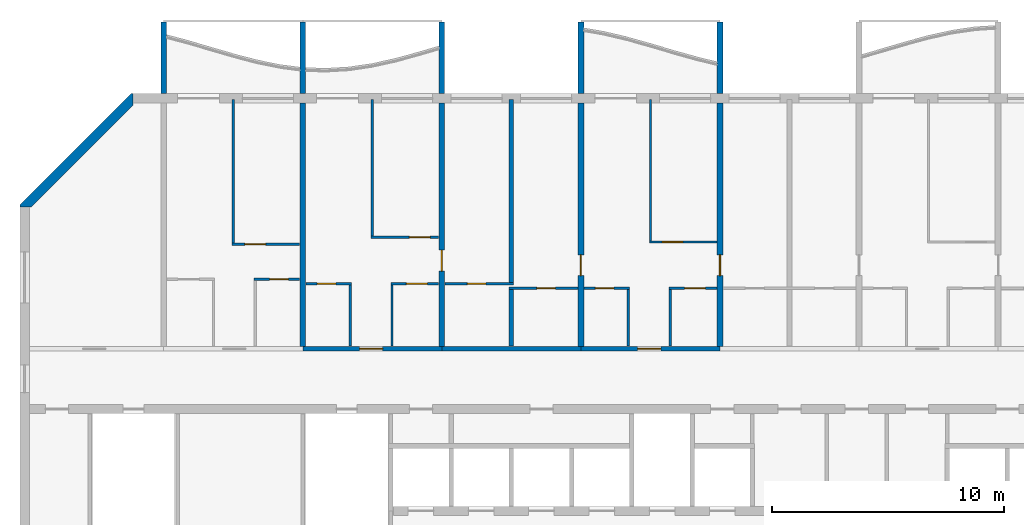
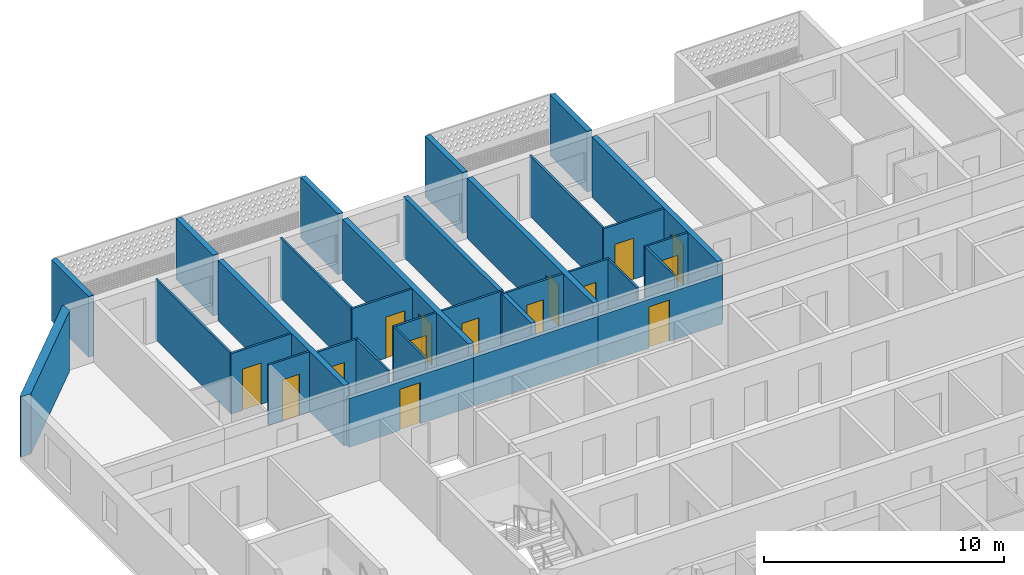
# One storey, part 8 of 27: 32 walls, 15 doors, 15 openings.
"""IFC4 building model written with IfcOpenShell, lengths in metres."""

from ifc_helpers import new_model, si_unit, direction, frame, frame_2d, origin, place, context, subcontext, project, spatial, polyline, rectangle, outline, extrude, source, transform, mapped, material, layer, layer_set, type_object, element, fill, save


model = new_model("IFC4")

# Units and contexts
model_context = context("Model", 3, precision=1e-05, world=origin(), true_north=direction((0.0, 1.0)))
body_context = subcontext(model_context, "Body", "Model", "MODEL_VIEW")
ifc_project = project(units=[si_unit("LENGTHUNIT", "METRE"), si_unit("AREAUNIT", "SQUARE_METRE"), si_unit("VOLUMEUNIT", "CUBIC_METRE"), si_unit("PLANEANGLEUNIT", "RADIAN"), si_unit("MASSUNIT", "GRAM", prefix="KILO")], contexts=[model_context])

# Site, building, storey
site_placement = place(None, origin())
site = spatial("IfcSite", under=ifc_project, at=site_placement, CompositionType="ELEMENT")
building_placement = place(site_placement, origin())
building = spatial("IfcBuilding", under=site, at=building_placement, Name="Poui Terraces", CompositionType="ELEMENT")
storey_placement = place(building_placement, frame((0.0, 0.0, 191.699951171875)))
storey = spatial("IfcBuildingStorey", under=building, at=storey_placement, Name="L53", CompositionType="ELEMENT", Elevation=191.699951171875)

# Wall, opening, door
ifc_material_1 = material(Name="Concrete 50 MPa", Category="concrete")
ifc_layer_1 = layer(ifc_material_1, 0.199951171875)
ifc_layer_set_1 = layer_set([ifc_layer_1], Name="Concrete 50 MPa")
wall_type_1 = type_object("IfcWallType", Name="CORRIDOR WALL 200 50MPa", PredefinedType="SHEAR", material=ifc_layer_set_1)
wall_1_placement = place(storey_placement, frame((30.0, 30.39990234375, 0.0), z_axis=(0.0, 0.0, 1.0), x_axis=(1.0, 0.0, 0.0)))
wall_1 = element("IfcWall", 1, at=wall_1_placement, inside=storey, type_object=wall_type_1, Name="CORRIDOR WALL LINE E BAY 3", PredefinedType="SHEAR", context=body_context, shape_type="SweptSolid", body=[
    extrude(rectangle(XDim=6.0, YDim=0.199951171875, at=frame_2d((3.0, 0.0))), origin(), (0.0, 0.0, 1.0), 2.47998046875),
])
opening_1_placement = place(wall_1_placement, frame((2.449951171875, 0.0, 0.0)))
opening_1 = element("IfcOpeningElement", 2, at=opening_1_placement, cuts=wall_1, Name="Opening FD30S", PredefinedType="OPENING", context=body_context, shape_type="SweptSolid", body=[
    extrude(rectangle(XDim=1.0, YDim=2.10009765625, at=frame_2d((0.5, 1.050048828125))), frame((0.0, 0.10986328125, 0.0), z_axis=(0.0, -1.0, 0.0), x_axis=(1.0, 0.0, 0.0)), (0.0, 0.0, 1.0), 0.219970703125),
])
ifc_material_2 = material(Name="Steel fire door", Category="steel")
door_type_1 = type_object("IfcDoorType", Name="FLAT ENTRANCE DOOR 1000 X 2100", OperationType="NOTDEFINED", PredefinedType="DOOR", material=ifc_material_2)
door_1_placement = place(opening_1_placement, origin())
door_1 = element("IfcDoor", 3, at=door_1_placement, inside=storey, type_object=door_type_1, Name="FLAT ENTRANCE DOOR 034", OperationType="SINGLE_SWING_LEFT", OverallHeight=2.10009765625, OverallWidth=1.0, PredefinedType="DOOR", context=body_context, shape_type="SweptSolid", body=[
    extrude(rectangle(XDim=1.0, YDim=2.10009765625, at=frame_2d((0.5, 1.050048828125))), frame((0.0, 0.02490234375, 0.0), z_axis=(0.0, -1.0, 0.0), x_axis=(1.0, 0.0, 0.0)), (0.0, 0.0, 1.0), 0.050048828125),
])
fill(opening_1, door_1)

# Wall
wall_2_placement = place(storey_placement, frame((36.0, 30.39990234375, 0.0), z_axis=(0.0, 0.0, 1.0), x_axis=(1.0, 0.0, 0.0)))
element("IfcWall", 4, at=wall_2_placement, inside=storey, type_object=wall_type_1, Name="CORRIDOR WALL LINE E BAY 4", PredefinedType="SHEAR", context=body_context, shape_type="SweptSolid", body=[
    extrude(rectangle(XDim=6.0, YDim=0.199951171875, at=frame_2d((3.0, 0.0))), origin(), (0.0, 0.0, 1.0), 2.47998046875),
])

# Wall, opening, door
wall_3_placement = place(storey_placement, frame((42.0, 30.39990234375, 0.0), z_axis=(0.0, 0.0, 1.0), x_axis=(1.0, 0.0, 0.0)))
wall_3 = element("IfcWall", 5, at=wall_3_placement, inside=storey, type_object=wall_type_1, Name="CORRIDOR WALL LINE E BAY 5", PredefinedType="SHEAR", context=body_context, shape_type="SweptSolid", body=[
    extrude(rectangle(XDim=6.0, YDim=0.199951171875, at=frame_2d((3.0, 0.0))), origin(), (0.0, 0.0, 1.0), 2.47998046875),
])
opening_2_placement = place(wall_3_placement, frame((2.449951171875, 0.0, 0.0)))
opening_2 = element("IfcOpeningElement", 6, at=opening_2_placement, cuts=wall_3, Name="Opening FD30S", PredefinedType="OPENING", context=body_context, shape_type="SweptSolid", body=[
    extrude(rectangle(XDim=1.0, YDim=2.10009765625, at=frame_2d((0.5, 1.050048828125))), frame((0.0, 0.10986328125, 0.0), z_axis=(0.0, -1.0, 0.0), x_axis=(1.0, 0.0, 0.0)), (0.0, 0.0, 1.0), 0.219970703125),
])
door_2_placement = place(opening_2_placement, origin())
door_2 = element("IfcDoor", 7, at=door_2_placement, inside=storey, type_object=door_type_1, Name="FLAT ENTRANCE DOOR 042", OperationType="SINGLE_SWING_LEFT", OverallHeight=2.10009765625, OverallWidth=1.0, PredefinedType="DOOR", context=body_context, shape_type="SweptSolid", body=[
    extrude(rectangle(XDim=1.0, YDim=2.10009765625, at=frame_2d((0.5, 1.050048828125))), frame((0.0, 0.02490234375, 0.0), z_axis=(0.0, -1.0, 0.0), x_axis=(1.0, 0.0, 0.0)), (0.0, 0.0, 1.0), 0.050048828125),
])
fill(opening_2, door_2)

# Wall
ifc_layer_2 = layer(ifc_material_1, 0.25)
ifc_layer_set_2 = layer_set([ifc_layer_2], Name="Concrete 50 MPa")
wall_type_2 = type_object("IfcWallType", Name="CROSS WALL 250 50MPa", PredefinedType="SHEAR", material=ifc_layer_set_2)
wall_4_placement = place(storey_placement, frame((30.0, 30.5, 0.0), z_axis=(0.0, 0.0, 1.0), x_axis=(0.0, 1.0, 0.0)))
element("IfcWall", 8, at=wall_4_placement, inside=storey, type_object=wall_type_2, Name="CROSS WALL LINE 6 NORTH", PredefinedType="SHEAR", context=body_context, shape_type="SweptSolid", body=[
    extrude(rectangle(XDim=10.5, YDim=0.25, at=frame_2d((5.25, 0.0))), origin(), (0.0, 0.0, 1.0), 3.080078125),
])

# Wall, opening, door
wall_5_placement = place(storey_placement, frame((36.0, 30.5, 0.0), z_axis=(0.0, 0.0, 1.0), x_axis=(0.0, 1.0, 0.0)))
wall_5 = element("IfcWall", 9, at=wall_5_placement, inside=storey, type_object=wall_type_2, Name="CROSS WALL LINE 7 NORTH", PredefinedType="SHEAR", context=body_context, shape_type="SweptSolid", body=[
    extrude(rectangle(XDim=10.5, YDim=0.25, at=frame_2d((5.25, 0.0))), origin(), (0.0, 0.0, 1.0), 3.080078125),
])
opening_3_placement = place(wall_5_placement, frame((3.25, 0.0, 0.0)))
opening_3 = element("IfcOpeningElement", 10, at=opening_3_placement, cuts=wall_5, Name="Opening D90", PredefinedType="OPENING", context=body_context, shape_type="SweptSolid", body=[
    extrude(rectangle(XDim=0.89990234375, YDim=2.10009765625, at=frame_2d((0.449951171875, 1.050048828125))), frame((0.0, 0.135009765625, 0.0), z_axis=(0.0, -1.0, 0.0), x_axis=(1.0, 0.0, 0.0)), (0.0, 0.0, 1.0), 0.27001953125),
])
ifc_material_3 = material(Name="Solid core timber door", Category="wood")
door_type_2 = type_object("IfcDoorType", Name="INTERNAL DOOR 900 X 2100", OperationType="NOTDEFINED", PredefinedType="DOOR", material=ifc_material_3)
door_3_placement = place(opening_3_placement, frame((0.89990234375, 0.0, 0.0), z_axis=(0.0, 0.0, 1.0), x_axis=(-1.0, 0.0, 0.0)))
door_3 = element("IfcDoor", 11, at=door_3_placement, inside=storey, type_object=door_type_2, Name="INTERNAL DOOR 037", OperationType="SINGLE_SWING_RIGHT", OverallHeight=2.10009765625, OverallWidth=0.89990234375, PredefinedType="DOOR", context=body_context, shape_type="SweptSolid", body=[
    extrude(rectangle(XDim=0.89990234375, YDim=2.10009765625, at=frame_2d((0.449951171875, 1.050048828125))), frame((0.0, 0.02490234375, 0.0), z_axis=(0.0, -1.0, 0.0), x_axis=(1.0, 0.0, 0.0)), (0.0, 0.0, 1.0), 0.050048828125),
])
fill(opening_3, door_3)

wall_6_placement = place(storey_placement, frame((42.0, 30.5, 0.0), z_axis=(0.0, 0.0, 1.0), x_axis=(0.0, 1.0, 0.0)))
wall_6 = element("IfcWall", 12, at=wall_6_placement, inside=storey, type_object=wall_type_2, Name="CROSS WALL LINE 8 NORTH", PredefinedType="SHEAR", context=body_context, shape_type="SweptSolid", body=[
    extrude(rectangle(XDim=10.5, YDim=0.25, at=frame_2d((5.25, 0.0))), origin(), (0.0, 0.0, 1.0), 3.080078125),
])
opening_4_placement = place(wall_6_placement, frame((3.050048828125, 0.0, 0.0)))
opening_4 = element("IfcOpeningElement", 13, at=opening_4_placement, cuts=wall_6, Name="Opening D90", PredefinedType="OPENING", context=body_context, shape_type="SweptSolid", body=[
    extrude(rectangle(XDim=0.89990234375, YDim=2.10009765625, at=frame_2d((0.449951171875, 1.050048828125))), frame((0.0, 0.135009765625, 0.0), z_axis=(0.0, -1.0, 0.0), x_axis=(1.0, 0.0, 0.0)), (0.0, 0.0, 1.0), 0.27001953125),
])
door_4_placement = place(opening_4_placement, origin())
door_4 = element("IfcDoor", 14, at=door_4_placement, inside=storey, type_object=door_type_2, Name="INTERNAL DOOR 040", OperationType="SINGLE_SWING_LEFT", OverallHeight=2.10009765625, OverallWidth=0.89990234375, PredefinedType="DOOR", context=body_context, shape_type="SweptSolid", body=[
    extrude(rectangle(XDim=0.89990234375, YDim=2.10009765625, at=frame_2d((0.449951171875, 1.050048828125))), frame((0.0, 0.02490234375, 0.0), z_axis=(0.0, -1.0, 0.0), x_axis=(1.0, 0.0, 0.0)), (0.0, 0.0, 1.0), 0.050048828125),
])
fill(opening_4, door_4)

wall_7_placement = place(storey_placement, frame((48.0, 30.5, 0.0), z_axis=(0.0, 0.0, 1.0), x_axis=(0.0, 1.0, 0.0)))
wall_7 = element("IfcWall", 15, at=wall_7_placement, inside=storey, type_object=wall_type_2, Name="CROSS WALL LINE 9 NORTH", PredefinedType="SHEAR", context=body_context, shape_type="SweptSolid", body=[
    extrude(rectangle(XDim=10.5, YDim=0.25, at=frame_2d((5.25, 0.0))), origin(), (0.0, 0.0, 1.0), 3.080078125),
])
opening_5_placement = place(wall_7_placement, frame((3.050048828125, 0.0, 0.0)))
opening_5 = element("IfcOpeningElement", 16, at=opening_5_placement, cuts=wall_7, Name="Opening D90", PredefinedType="OPENING", context=body_context, shape_type="SweptSolid", body=[
    extrude(rectangle(XDim=0.89990234375, YDim=2.10009765625, at=frame_2d((0.449951171875, 1.050048828125))), frame((0.0, 0.135009765625, 0.0), z_axis=(0.0, -1.0, 0.0), x_axis=(1.0, 0.0, 0.0)), (0.0, 0.0, 1.0), 0.27001953125),
])
door_5_placement = place(opening_5_placement, frame((0.89990234375, 0.0, 0.0), z_axis=(0.0, 0.0, 1.0), x_axis=(-1.0, 0.0, 0.0)))
door_5 = element("IfcDoor", 17, at=door_5_placement, inside=storey, type_object=door_type_2, Name="INTERNAL DOOR 045", OperationType="SINGLE_SWING_RIGHT", OverallHeight=2.10009765625, OverallWidth=0.89990234375, PredefinedType="DOOR", context=body_context, shape_type="SweptSolid", body=[
    extrude(rectangle(XDim=0.89990234375, YDim=2.10009765625, at=frame_2d((0.449951171875, 1.050048828125))), frame((0.0, 0.02490234375, 0.0), z_axis=(0.0, -1.0, 0.0), x_axis=(1.0, 0.0, 0.0)), (0.0, 0.0, 1.0), 0.050048828125),
])
fill(opening_5, door_5)

ifc_material_4 = material(Name="Plasterboard partition")
ifc_layer_3 = layer(ifc_material_4, 0.10009765625)
ifc_layer_set_3 = layer_set([ifc_layer_3], Name="Plasterboard partition")
wall_type_3 = type_object("IfcWallType", Name="FLAT PARTITION 100", PredefinedType="PARTITIONING", material=ifc_layer_set_3)
wall_8_placement = place(storey_placement, frame((38.89990234375, 33.0, 0.0), z_axis=(0.0, 0.0, 1.0), x_axis=(1.0, 0.0, 0.0)))
wall_8 = element("IfcWall", 18, at=wall_8_placement, inside=storey, type_object=wall_type_3, Name="FLAT PARTITION 100", PredefinedType="PARTITIONING", context=body_context, shape_type="SweptSolid", body=[
    extrude(rectangle(XDim=2.965087890625, YDim=0.10009765625, at=frame_2d((1.482421875, 0.0))), origin(), (0.0, 0.0, 1.0), 3.080078125),
])
opening_6_placement = place(wall_8_placement, frame((1.199951171875, 0.0, 0.0)))
opening_6 = element("IfcOpeningElement", 19, at=opening_6_placement, cuts=wall_8, Name="Opening D80", PredefinedType="OPENING", context=body_context, shape_type="SweptSolid", body=[
    extrude(rectangle(XDim=0.800048828125, YDim=2.10009765625, at=frame_2d((0.39990234375, 1.050048828125))), frame((0.0, 0.06005859375, 0.0), z_axis=(0.0, -1.0, 0.0), x_axis=(1.0, 0.0, 0.0)), (0.0, 0.0, 1.0), 0.1201171875),
])
door_type_3 = type_object("IfcDoorType", Name="BATHROOM, LAUNDRY AND STORE DOOR 800 X 2100", OperationType="NOTDEFINED", PredefinedType="DOOR", material=ifc_material_3)
door_6_placement = place(opening_6_placement, frame((0.800048828125, 0.0, 0.0), z_axis=(0.0, 0.0, 1.0), x_axis=(-1.0, 0.0, 0.0)))
door_6 = element("IfcDoor", 20, at=door_6_placement, inside=storey, type_object=door_type_3, Name="BATHROOM, LAUNDRY AND STORE DOOR 038", OperationType="SINGLE_SWING_LEFT", OverallHeight=2.10009765625, OverallWidth=0.800048828125, PredefinedType="DOOR", context=body_context, shape_type="SweptSolid", body=[
    extrude(rectangle(XDim=0.800048828125, YDim=2.10009765625, at=frame_2d((0.39990234375, 1.050048828125))), frame((0.0, 0.02490234375, 0.0), z_axis=(0.0, -1.0, 0.0), x_axis=(1.0, 0.0, 0.0)), (0.0, 0.0, 1.0), 0.050048828125),
])
fill(opening_6, door_6)

wall_9_placement = place(storey_placement, frame((42.135009765625, 33.0, 0.0), z_axis=(0.0, 0.0, 1.0), x_axis=(1.0, 0.0, 0.0)))
wall_9 = element("IfcWall", 21, at=wall_9_placement, inside=storey, type_object=wall_type_3, Name="FLAT PARTITION 100", PredefinedType="PARTITIONING", context=body_context, shape_type="SweptSolid", body=[
    extrude(rectangle(XDim=1.965087890625, YDim=0.10009765625, at=frame_2d((0.982421875, 0.0))), origin(), (0.0, 0.0, 1.0), 3.080078125),
])
opening_7_placement = place(wall_9_placement, frame((0.489990234375, 0.0, 0.0)))
opening_7 = element("IfcOpeningElement", 22, at=opening_7_placement, cuts=wall_9, Name="Opening D80", PredefinedType="OPENING", context=body_context, shape_type="SweptSolid", body=[
    extrude(rectangle(XDim=0.800048828125, YDim=2.10009765625, at=frame_2d((0.39990234375, 1.050048828125))), frame((0.0, 0.06005859375, 0.0), z_axis=(0.0, -1.0, 0.0), x_axis=(1.0, 0.0, 0.0)), (0.0, 0.0, 1.0), 0.1201171875),
])
door_7_placement = place(opening_7_placement, frame((0.800048828125, 0.0, 0.0), z_axis=(0.0, 0.0, 1.0), x_axis=(-1.0, 0.0, 0.0)))
door_7 = element("IfcDoor", 23, at=door_7_placement, inside=storey, type_object=door_type_3, Name="BATHROOM, LAUNDRY AND STORE DOOR 041", OperationType="SINGLE_SWING_LEFT", OverallHeight=2.10009765625, OverallWidth=0.800048828125, PredefinedType="DOOR", context=body_context, shape_type="SweptSolid", body=[
    extrude(rectangle(XDim=0.800048828125, YDim=2.10009765625, at=frame_2d((0.39990234375, 1.050048828125))), frame((0.0, 0.02490234375, 0.0), z_axis=(0.0, -1.0, 0.0), x_axis=(1.0, 0.0, 0.0)), (0.0, 0.0, 1.0), 0.050048828125),
])
fill(opening_7, door_7)

wall_10_placement = place(storey_placement, frame((45.800048828125, 33.0, 0.0), z_axis=(0.0, 0.0, 1.0), x_axis=(1.0, 0.0, 0.0)))
wall_10 = element("IfcWall", 24, at=wall_10_placement, inside=storey, type_object=wall_type_3, Name="FLAT PARTITION 100", PredefinedType="PARTITIONING", context=body_context, shape_type="SweptSolid", body=[
    extrude(rectangle(XDim=2.06494140625, YDim=0.10009765625, at=frame_2d((1.032470703125, 0.0))), origin(), (0.0, 0.0, 1.0), 3.080078125),
])
opening_8_placement = place(wall_10_placement, frame((0.675048828125, 0.0, 0.0)))
opening_8 = element("IfcOpeningElement", 25, at=opening_8_placement, cuts=wall_10, Name="Opening D90", PredefinedType="OPENING", context=body_context, shape_type="SweptSolid", body=[
    extrude(rectangle(XDim=0.89990234375, YDim=2.10009765625, at=frame_2d((0.449951171875, 1.050048828125))), frame((0.0, 0.06005859375, 0.0), z_axis=(0.0, -1.0, 0.0), x_axis=(1.0, 0.0, 0.0)), (0.0, 0.0, 1.0), 0.1201171875),
])
door_8_placement = place(opening_8_placement, frame((0.89990234375, 0.0, 0.0), z_axis=(0.0, 0.0, 1.0), x_axis=(-1.0, 0.0, 0.0)))
door_8 = element("IfcDoor", 26, at=door_8_placement, inside=storey, type_object=door_type_2, Name="INTERNAL DOOR 044", OperationType="SINGLE_SWING_RIGHT", OverallHeight=2.10009765625, OverallWidth=0.89990234375, PredefinedType="DOOR", context=body_context, shape_type="SweptSolid", body=[
    extrude(rectangle(XDim=0.89990234375, YDim=2.10009765625, at=frame_2d((0.449951171875, 1.050048828125))), frame((0.0, 0.02490234375, 0.0), z_axis=(0.0, -1.0, 0.0), x_axis=(1.0, 0.0, 0.0)), (0.0, 0.0, 1.0), 0.050048828125),
])
fill(opening_8, door_8)

wall_11_placement = place(storey_placement, frame((30.135009765625, 33.199951171875, 0.0), z_axis=(0.0, 0.0, 1.0), x_axis=(1.0, 0.0, 0.0)))
wall_11 = element("IfcWall", 27, at=wall_11_placement, inside=storey, type_object=wall_type_3, Name="FLAT PARTITION 100", PredefinedType="PARTITIONING", context=body_context, shape_type="SweptSolid", body=[
    extrude(rectangle(XDim=1.965087890625, YDim=0.10009765625, at=frame_2d((0.982421875, 0.0))), origin(), (0.0, 0.0, 1.0), 3.080078125),
])
opening_9_placement = place(wall_11_placement, frame((0.489990234375, 0.0, 0.0)))
opening_9 = element("IfcOpeningElement", 28, at=opening_9_placement, cuts=wall_11, Name="Opening D80", PredefinedType="OPENING", context=body_context, shape_type="SweptSolid", body=[
    extrude(rectangle(XDim=0.800048828125, YDim=2.10009765625, at=frame_2d((0.39990234375, 1.050048828125))), frame((0.0, 0.06005859375, 0.0), z_axis=(0.0, -1.0, 0.0), x_axis=(1.0, 0.0, 0.0)), (0.0, 0.0, 1.0), 0.1201171875),
])
door_9_placement = place(opening_9_placement, frame((0.800048828125, 0.0, 0.0), z_axis=(0.0, 0.0, 1.0), x_axis=(-1.0, 0.0, 0.0)))
door_9 = element("IfcDoor", 29, at=door_9_placement, inside=storey, type_object=door_type_3, Name="BATHROOM, LAUNDRY AND STORE DOOR 033", OperationType="SINGLE_SWING_RIGHT", OverallHeight=2.10009765625, OverallWidth=0.800048828125, PredefinedType="DOOR", context=body_context, shape_type="SweptSolid", body=[
    extrude(rectangle(XDim=0.800048828125, YDim=2.10009765625, at=frame_2d((0.39990234375, 1.050048828125))), frame((0.0, 0.02490234375, 0.0), z_axis=(0.0, -1.0, 0.0), x_axis=(1.0, 0.0, 0.0)), (0.0, 0.0, 1.0), 0.050048828125),
])
fill(opening_9, door_9)

wall_12_placement = place(storey_placement, frame((33.800048828125, 33.199951171875, 0.0), z_axis=(0.0, 0.0, 1.0), x_axis=(1.0, 0.0, 0.0)))
wall_12 = element("IfcWall", 30, at=wall_12_placement, inside=storey, type_object=wall_type_3, Name="FLAT PARTITION 100", PredefinedType="PARTITIONING", context=body_context, shape_type="SweptSolid", body=[
    extrude(rectangle(XDim=2.06494140625, YDim=0.10009765625, at=frame_2d((1.032470703125, 0.0))), origin(), (0.0, 0.0, 1.0), 3.080078125),
])
opening_10_placement = place(wall_12_placement, frame((0.675048828125, 0.0, 0.0)))
opening_10 = element("IfcOpeningElement", 31, at=opening_10_placement, cuts=wall_12, Name="Opening D90", PredefinedType="OPENING", context=body_context, shape_type="SweptSolid", body=[
    extrude(rectangle(XDim=0.89990234375, YDim=2.10009765625, at=frame_2d((0.449951171875, 1.050048828125))), frame((0.0, 0.06005859375, 0.0), z_axis=(0.0, -1.0, 0.0), x_axis=(1.0, 0.0, 0.0)), (0.0, 0.0, 1.0), 0.1201171875),
])
door_10_placement = place(opening_10_placement, frame((0.89990234375, 0.0, 0.0), z_axis=(0.0, 0.0, 1.0), x_axis=(-1.0, 0.0, 0.0)))
door_10 = element("IfcDoor", 32, at=door_10_placement, inside=storey, type_object=door_type_2, Name="INTERNAL DOOR 035", OperationType="SINGLE_SWING_LEFT", OverallHeight=2.10009765625, OverallWidth=0.89990234375, PredefinedType="DOOR", context=body_context, shape_type="SweptSolid", body=[
    extrude(rectangle(XDim=0.89990234375, YDim=2.10009765625, at=frame_2d((0.449951171875, 1.050048828125))), frame((0.0, 0.02490234375, 0.0), z_axis=(0.0, -1.0, 0.0), x_axis=(1.0, 0.0, 0.0)), (0.0, 0.0, 1.0), 0.050048828125),
])
fill(opening_10, door_10)

wall_13_placement = place(storey_placement, frame((36.135009765625, 33.199951171875, 0.0), z_axis=(0.0, 0.0, 1.0), x_axis=(1.0, 0.0, 0.0)))
wall_13 = element("IfcWall", 33, at=wall_13_placement, inside=storey, type_object=wall_type_3, Name="FLAT PARTITION 100", PredefinedType="PARTITIONING", context=body_context, shape_type="SweptSolid", body=[
    extrude(rectangle(XDim=2.965087890625, YDim=0.10009765625, at=frame_2d((1.482421875, 0.0))), origin(), (0.0, 0.0, 1.0), 3.080078125),
])
opening_11_placement = place(wall_13_placement, frame((0.965087890625, 0.0, 0.0)))
opening_11 = element("IfcOpeningElement", 34, at=opening_11_placement, cuts=wall_13, Name="Opening D80", PredefinedType="OPENING", context=body_context, shape_type="SweptSolid", body=[
    extrude(rectangle(XDim=0.800048828125, YDim=2.10009765625, at=frame_2d((0.39990234375, 1.050048828125))), frame((0.0, 0.06005859375, 0.0), z_axis=(0.0, -1.0, 0.0), x_axis=(1.0, 0.0, 0.0)), (0.0, 0.0, 1.0), 0.1201171875),
])
door_11_placement = place(opening_11_placement, frame((0.800048828125, 0.0, 0.0), z_axis=(0.0, 0.0, 1.0), x_axis=(-1.0, 0.0, 0.0)))
door_11 = element("IfcDoor", 35, at=door_11_placement, inside=storey, type_object=door_type_3, Name="BATHROOM, LAUNDRY AND STORE DOOR 032", OperationType="SINGLE_SWING_RIGHT", OverallHeight=2.10009765625, OverallWidth=0.800048828125, PredefinedType="DOOR", context=body_context, shape_type="SweptSolid", body=[
    extrude(rectangle(XDim=0.800048828125, YDim=2.10009765625, at=frame_2d((0.39990234375, 1.050048828125))), frame((0.0, 0.02490234375, 0.0), z_axis=(0.0, -1.0, 0.0), x_axis=(1.0, 0.0, 0.0)), (0.0, 0.0, 1.0), 0.050048828125),
])
fill(opening_11, door_11)

wall_14_placement = place(storey_placement, frame((27.89990234375, 33.39990234375, 0.0), z_axis=(0.0, 0.0, 1.0), x_axis=(1.0, 0.0, 0.0)))
wall_14 = element("IfcWall", 36, at=wall_14_placement, inside=storey, type_object=wall_type_3, Name="FLAT PARTITION 100", PredefinedType="PARTITIONING", context=body_context, shape_type="SweptSolid", body=[
    extrude(rectangle(XDim=1.965087890625, YDim=0.10009765625, at=frame_2d((0.982421875, 0.0))), origin(), (0.0, 0.0, 1.0), 3.080078125),
])
opening_12_placement = place(wall_14_placement, frame((0.675048828125, 0.0, 0.0)))
opening_12 = element("IfcOpeningElement", 37, at=opening_12_placement, cuts=wall_14, Name="Opening D80", PredefinedType="OPENING", context=body_context, shape_type="SweptSolid", body=[
    extrude(rectangle(XDim=0.800048828125, YDim=2.10009765625, at=frame_2d((0.39990234375, 1.050048828125))), frame((0.0, 0.06005859375, 0.0), z_axis=(0.0, -1.0, 0.0), x_axis=(1.0, 0.0, 0.0)), (0.0, 0.0, 1.0), 0.1201171875),
])
door_12_placement = place(opening_12_placement, frame((0.800048828125, 0.0, 0.0), z_axis=(0.0, 0.0, 1.0), x_axis=(-1.0, 0.0, 0.0)))
door_12 = element("IfcDoor", 38, at=door_12_placement, inside=storey, type_object=door_type_3, Name="BATHROOM, LAUNDRY AND STORE DOOR 031", OperationType="SINGLE_SWING_RIGHT", OverallHeight=2.10009765625, OverallWidth=0.800048828125, PredefinedType="DOOR", context=body_context, shape_type="SweptSolid", body=[
    extrude(rectangle(XDim=0.800048828125, YDim=2.10009765625, at=frame_2d((0.39990234375, 1.050048828125))), frame((0.0, 0.02490234375, 0.0), z_axis=(0.0, -1.0, 0.0), x_axis=(1.0, 0.0, 0.0)), (0.0, 0.0, 1.0), 0.050048828125),
])
fill(opening_12, door_12)

wall_15_placement = place(storey_placement, frame((26.949951171875, 34.89990234375, 0.0), z_axis=(0.0, 0.0, 1.0), x_axis=(1.0, 0.0, 0.0)))
wall_15 = element("IfcWall", 39, at=wall_15_placement, inside=storey, type_object=wall_type_3, Name="FLAT PARTITION 100", PredefinedType="PARTITIONING", context=body_context, shape_type="SweptSolid", body=[
    extrude(rectangle(XDim=2.9150390625, YDim=0.10009765625, at=frame_2d((1.45751953125, 0.0))), origin(), (0.0, 0.0, 1.0), 3.080078125),
])
opening_13_placement = place(wall_15_placement, frame((0.550048828125, 0.0, 0.0)))
opening_13 = element("IfcOpeningElement", 40, at=opening_13_placement, cuts=wall_15, Name="Opening D90", PredefinedType="OPENING", context=body_context, shape_type="SweptSolid", body=[
    extrude(rectangle(XDim=0.89990234375, YDim=2.10009765625, at=frame_2d((0.449951171875, 1.050048828125))), frame((0.0, 0.06005859375, 0.0), z_axis=(0.0, -1.0, 0.0), x_axis=(1.0, 0.0, 0.0)), (0.0, 0.0, 1.0), 0.1201171875),
])
door_13_placement = place(opening_13_placement, frame((0.89990234375, 0.0, 0.0), z_axis=(0.0, 0.0, 1.0), x_axis=(-1.0, 0.0, 0.0)))
door_13 = element("IfcDoor", 41, at=door_13_placement, inside=storey, type_object=door_type_2, Name="INTERNAL DOOR 030", OperationType="SINGLE_SWING_LEFT", OverallHeight=2.10009765625, OverallWidth=0.89990234375, PredefinedType="DOOR", context=body_context, shape_type="SweptSolid", body=[
    extrude(rectangle(XDim=0.89990234375, YDim=2.10009765625, at=frame_2d((0.449951171875, 1.050048828125))), frame((0.0, 0.02490234375, 0.0), z_axis=(0.0, -1.0, 0.0), x_axis=(1.0, 0.0, 0.0)), (0.0, 0.0, 1.0), 0.050048828125),
])
fill(opening_13, door_13)

wall_16_placement = place(storey_placement, frame((44.949951171875, 35.0, 0.0), z_axis=(0.0, 0.0, 1.0), x_axis=(1.0, 0.0, 0.0)))
wall_16 = element("IfcWall", 42, at=wall_16_placement, inside=storey, type_object=wall_type_3, Name="FLAT PARTITION 100", PredefinedType="PARTITIONING", context=body_context, shape_type="SweptSolid", body=[
    extrude(rectangle(XDim=2.9150390625, YDim=0.10009765625, at=frame_2d((1.45751953125, 0.0))), origin(), (0.0, 0.0, 1.0), 3.080078125),
])
opening_14_placement = place(wall_16_placement, frame((0.550048828125, 0.0, 0.0)))
opening_14 = element("IfcOpeningElement", 43, at=opening_14_placement, cuts=wall_16, Name="Opening D90", PredefinedType="OPENING", context=body_context, shape_type="SweptSolid", body=[
    extrude(rectangle(XDim=0.89990234375, YDim=2.10009765625, at=frame_2d((0.449951171875, 1.050048828125))), frame((0.0, 0.06005859375, 0.0), z_axis=(0.0, -1.0, 0.0), x_axis=(1.0, 0.0, 0.0)), (0.0, 0.0, 1.0), 0.1201171875),
])
door_14_placement = place(opening_14_placement, frame((0.89990234375, 0.0, 0.0), z_axis=(0.0, 0.0, 1.0), x_axis=(-1.0, 0.0, 0.0)))
door_14 = element("IfcDoor", 44, at=door_14_placement, inside=storey, type_object=door_type_2, Name="INTERNAL DOOR 043", OperationType="SINGLE_SWING_LEFT", OverallHeight=2.10009765625, OverallWidth=0.89990234375, PredefinedType="DOOR", context=body_context, shape_type="SweptSolid", body=[
    extrude(rectangle(XDim=0.89990234375, YDim=2.10009765625, at=frame_2d((0.449951171875, 1.050048828125))), frame((0.0, 0.02490234375, 0.0), z_axis=(0.0, -1.0, 0.0), x_axis=(1.0, 0.0, 0.0)), (0.0, 0.0, 1.0), 0.050048828125),
])
fill(opening_14, door_14)

wall_17_placement = place(storey_placement, frame((32.949951171875, 35.199951171875, 0.0), z_axis=(0.0, 0.0, 1.0), x_axis=(1.0, 0.0, 0.0)))
wall_17 = element("IfcWall", 45, at=wall_17_placement, inside=storey, type_object=wall_type_3, Name="FLAT PARTITION 100", PredefinedType="PARTITIONING", context=body_context, shape_type="SweptSolid", body=[
    extrude(rectangle(XDim=2.9150390625, YDim=0.10009765625, at=frame_2d((1.45751953125, 0.0))), origin(), (0.0, 0.0, 1.0), 3.080078125),
])
opening_15_placement = place(wall_17_placement, frame((1.64990234375, 0.0, 0.0)))
opening_15 = element("IfcOpeningElement", 46, at=opening_15_placement, cuts=wall_17, Name="Opening D90", PredefinedType="OPENING", context=body_context, shape_type="SweptSolid", body=[
    extrude(rectangle(XDim=0.89990234375, YDim=2.10009765625, at=frame_2d((0.449951171875, 1.050048828125))), frame((0.0, 0.06005859375, 0.0), z_axis=(0.0, -1.0, 0.0), x_axis=(1.0, 0.0, 0.0)), (0.0, 0.0, 1.0), 0.1201171875),
])
door_15_placement = place(opening_15_placement, frame((0.89990234375, 0.0, 0.0), z_axis=(0.0, 0.0, 1.0), x_axis=(-1.0, 0.0, 0.0)))
door_15 = element("IfcDoor", 47, at=door_15_placement, inside=storey, type_object=door_type_2, Name="INTERNAL DOOR 036", OperationType="SINGLE_SWING_RIGHT", OverallHeight=2.10009765625, OverallWidth=0.89990234375, PredefinedType="DOOR", context=body_context, shape_type="SweptSolid", body=[
    extrude(rectangle(XDim=0.89990234375, YDim=2.10009765625, at=frame_2d((0.449951171875, 1.050048828125))), frame((0.0, 0.02490234375, 0.0), z_axis=(0.0, -1.0, 0.0), x_axis=(1.0, 0.0, 0.0)), (0.0, 0.0, 1.0), 0.050048828125),
])
fill(opening_15, door_15)

# Walls
wall_18_placement = place(storey_placement, frame((27.0, 34.949951171875, 0.0), z_axis=(0.0, 0.0, 1.0), x_axis=(0.0, 1.0, 0.0)))
element("IfcWall", 48, at=wall_18_placement, inside=storey, type_object=wall_type_3, Name="FLAT PARTITION 100", PredefinedType="PARTITIONING", context=body_context, shape_type="SweptSolid", body=[
    extrude(rectangle(XDim=6.18994140625, YDim=0.10009765625, at=frame_2d((3.094970703125, 0.0))), origin(), (0.0, 0.0, 1.0), 3.080078125),
])
wall_19_placement = place(storey_placement, frame((32.050048828125, 30.510009765625, 0.0), z_axis=(0.0, 0.0, 1.0), x_axis=(0.0, 1.0, 0.0)))
element("IfcWall", 49, at=wall_19_placement, inside=storey, type_object=wall_type_3, Name="FLAT PARTITION 100", PredefinedType="PARTITIONING", context=body_context, shape_type="SweptSolid", body=[
    extrude(rectangle(XDim=2.639892578125, YDim=0.10009765625, at=frame_2d((1.31982421875, 0.0))), origin(), (0.0, 0.0, 1.0), 3.080078125),
])
wall_20_placement = place(storey_placement, frame((33.0, 35.25, 0.0), z_axis=(0.0, 0.0, 1.0), x_axis=(0.0, 1.0, 0.0)))
element("IfcWall", 50, at=wall_20_placement, inside=storey, type_object=wall_type_3, Name="FLAT PARTITION 100", PredefinedType="PARTITIONING", context=body_context, shape_type="SweptSolid", body=[
    extrude(rectangle(XDim=5.889892578125, YDim=0.10009765625, at=frame_2d((2.94482421875, 0.0))), origin(), (0.0, 0.0, 1.0), 3.080078125),
])
wall_21_placement = place(storey_placement, frame((33.85009765625, 30.510009765625, 0.0), z_axis=(0.0, 0.0, 1.0), x_axis=(0.0, 1.0, 0.0)))
element("IfcWall", 51, at=wall_21_placement, inside=storey, type_object=wall_type_3, Name="FLAT PARTITION 100", PredefinedType="PARTITIONING", context=body_context, shape_type="SweptSolid", body=[
    extrude(rectangle(XDim=2.639892578125, YDim=0.10009765625, at=frame_2d((1.31982421875, 0.0))), origin(), (0.0, 0.0, 1.0), 3.080078125),
])
wall_22_placement = place(storey_placement, frame((44.050048828125, 30.510009765625, 0.0), z_axis=(0.0, 0.0, 1.0), x_axis=(0.0, 1.0, 0.0)))
element("IfcWall", 52, at=wall_22_placement, inside=storey, type_object=wall_type_3, Name="FLAT PARTITION 100", PredefinedType="PARTITIONING", context=body_context, shape_type="SweptSolid", body=[
    extrude(rectangle(XDim=2.43994140625, YDim=0.10009765625, at=frame_2d((1.219970703125, 0.0))), origin(), (0.0, 0.0, 1.0), 3.080078125),
])
wall_23_placement = place(storey_placement, frame((45.0, 35.050048828125, 0.0), z_axis=(0.0, 0.0, 1.0), x_axis=(0.0, 1.0, 0.0)))
element("IfcWall", 53, at=wall_23_placement, inside=storey, type_object=wall_type_3, Name="FLAT PARTITION 100", PredefinedType="PARTITIONING", context=body_context, shape_type="SweptSolid", body=[
    extrude(rectangle(XDim=6.08984375, YDim=0.10009765625, at=frame_2d((3.044921875, 0.0))), origin(), (0.0, 0.0, 1.0), 3.080078125),
])
wall_24_placement = place(storey_placement, frame((45.85009765625, 30.510009765625, 0.0), z_axis=(0.0, 0.0, 1.0), x_axis=(0.0, 1.0, 0.0)))
element("IfcWall", 54, at=wall_24_placement, inside=storey, type_object=wall_type_3, Name="FLAT PARTITION 100", PredefinedType="PARTITIONING", context=body_context, shape_type="SweptSolid", body=[
    extrude(rectangle(XDim=2.43994140625, YDim=0.10009765625, at=frame_2d((1.219970703125, 0.0))), origin(), (0.0, 0.0, 1.0), 3.080078125),
])
ifc_material_5 = material(Name="Fire-rated masonry wall", Category="masonry")
ifc_layer_4 = layer(ifc_material_5, 0.199951171875)
ifc_layer_set_4 = layer_set([ifc_layer_4], Name="Fire-rated masonry wall")
wall_type_4 = type_object("IfcWallType", Name="FLAT PARTY WALL 200", PredefinedType="PARTITIONING", material=ifc_layer_set_4)
wall_25_placement = place(storey_placement, frame((39.0, 30.510009765625, 0.0), z_axis=(0.0, 0.0, 1.0), x_axis=(0.0, 1.0, 0.0)))
element("IfcWall", 55, at=wall_25_placement, inside=storey, type_object=wall_type_4, Name="FLAT PARTY WALL 200", PredefinedType="PARTITIONING", context=body_context, shape_type="SweptSolid", body=[
    extrude(rectangle(XDim=2.43994140625, YDim=0.199951171875, at=frame_2d((1.219970703125, 0.0))), origin(), (0.0, 0.0, 1.0), 3.080078125),
])
wall_26_placement = place(storey_placement, frame((39.0, 33.25, 0.0), z_axis=(0.0, 0.0, 1.0), x_axis=(0.0, 1.0, 0.0)))
element("IfcWall", 56, at=wall_26_placement, inside=storey, type_object=wall_type_4, Name="FLAT PARTY WALL 200", PredefinedType="PARTITIONING", context=body_context, shape_type="SweptSolid", body=[
    extrude(rectangle(XDim=7.889892578125, YDim=0.199951171875, at=frame_2d((3.94482421875, 0.0))), origin(), (0.0, 0.0, 1.0), 3.080078125),
])
ifc_material_6 = material(Name="Precast concrete 40 MPa", Category="concrete")
ifc_layer_5 = layer(ifc_material_6, 0.39990234375)
ifc_layer_set_5 = layer_set([ifc_layer_5], Name="Precast concrete 40 MPa")
wall_type_5 = type_object("IfcWallType", Name="TERRACOTTA CLAD CHAMFER WALL 400", PredefinedType="STANDARD", material=ifc_layer_set_5)
wall_27_placement = place(storey_placement, origin())
element("IfcWall", 57, at=wall_27_placement, inside=storey, type_object=wall_type_5, Name="CHAMFER WALL CH05", PredefinedType="STANDARD", context=body_context, shape_type="SweptSolid", body=[
    extrude(outline(polyline([(22.682861328125, 41.39990234375), (22.60009765625, 41.39990234375), (17.800048828125, 36.60009765625), (17.800048828125, 36.51708984375), (18.28271484375, 36.51708984375), (22.682861328125, 40.917236328125), (22.682861328125, 41.39990234375)])), origin(), (0.0, 0.0, 1.0), 3.080078125),
])
ifc_layer_6 = layer(ifc_material_6, 0.25)
ifc_layer_set_6 = layer_set([ifc_layer_6], Name="Precast concrete 40 MPa")
wall_type_6 = type_object("IfcWallType", Name="BALCONY FIN 250", PredefinedType="STANDARD", material=ifc_layer_set_6)
shared_shape = source(origin(), body_context, "Body", "SweptSolid", [
    extrude(outline(polyline([(0.0, 0.0), (0.25, 0.0), (0.25, 3.10009765625), (0.0, 3.10009765625), (0.0, 0.0)])), origin(), (0.0, 0.0, 1.0), 3.10009765625),
])
for number, where, name in (
    (58, (23.875, 41.39990234375, 0.0), "BALCONY FIN"),
    (59, (29.875, 41.39990234375, 0.0), "BALCONY FIN"),
    (60, (35.875, 41.39990234375, 0.0), "BALCONY FIN"),
    (61, (41.875, 41.39990234375, 0.0), "BALCONY FIN"),
    (62, (47.875, 41.39990234375, 0.0), "BALCONY FIN"),
):
    element("IfcWall", number, at=place(storey_placement, frame(where)), inside=storey, type_object=wall_type_6, Name=name, PredefinedType="STANDARD", context=body_context, shape_type="MappedRepresentation", body=[
        mapped(shared_shape, transform((0.0, 0.0, 0.0))),
    ])

save(model, "model.ifc")
